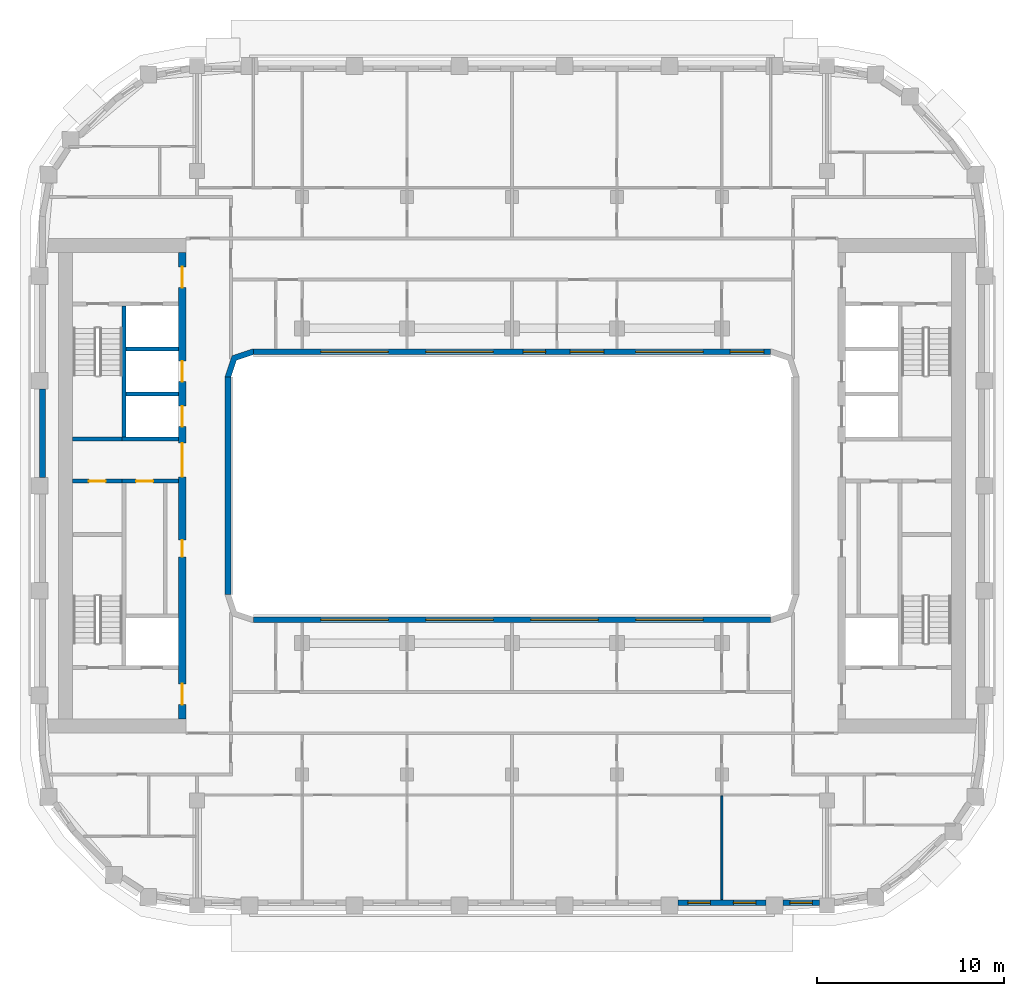
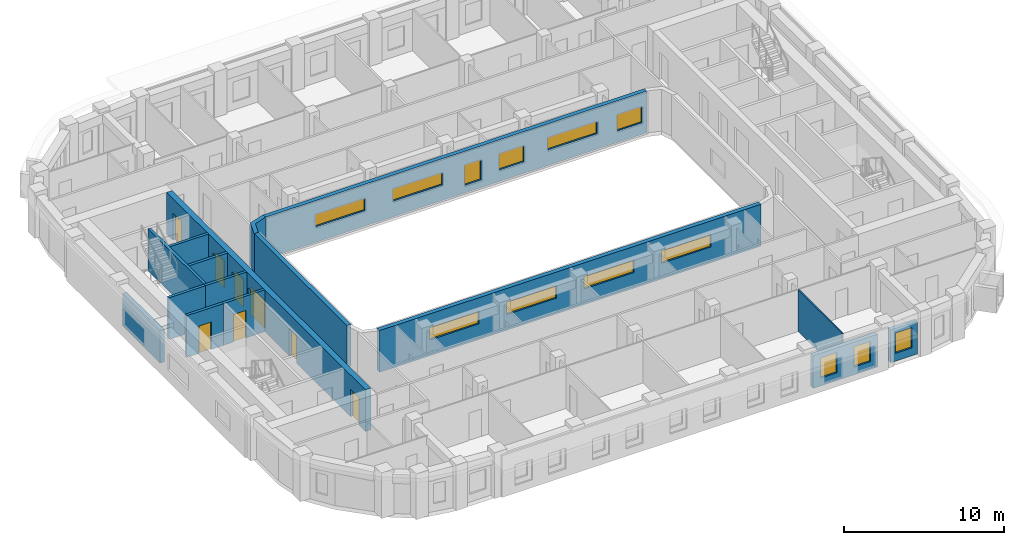
# One storey, part 4 of 21: 16 walls, 13 windows, 8 doors, 21 openings.
"""IFC4 building model written with IfcOpenShell, lengths in metres."""

from ifc_helpers import new_model, si_unit, direction, frame, frame_2d, origin, place, context, subcontext, project, spatial, polyline, rectangle, outline, extrude, material, layer, layer_set, type_object, element, fill, save


model = new_model("IFC4")

# Units and contexts
model_context = context("Model", 3, precision=1e-05, world=origin(), true_north=direction((0.0, 1.0)))
body_context = subcontext(model_context, "Body", "Model", "MODEL_VIEW")
ifc_project = project(units=[si_unit("LENGTHUNIT", "METRE"), si_unit("AREAUNIT", "SQUARE_METRE"), si_unit("VOLUMEUNIT", "CUBIC_METRE"), si_unit("PLANEANGLEUNIT", "RADIAN"), si_unit("MASSUNIT", "GRAM", prefix="KILO")], contexts=[model_context])

# Site, building, storey
site_placement = place(None, origin())
site = spatial("IfcSite", under=ifc_project, at=site_placement, CompositionType="ELEMENT")
building_placement = place(site_placement, origin())
building = spatial("IfcBuilding", under=site, at=building_placement, Name="Kiln Ring Residences", CompositionType="ELEMENT")
storey_placement = place(building_placement, frame((0.0, 0.0, 199.39990234375)))
storey = spatial("IfcBuildingStorey", under=building, at=storey_placement, Name="L51", CompositionType="ELEMENT", Elevation=199.39990234375)

# Wall, opening, door
ifc_material_1 = material(Name="Gypsum board on steel studs", Category="steel")
ifc_layer_1 = layer(ifc_material_1, 0.199951171875)
ifc_layer_set_1 = layer_set([ifc_layer_1], Name="CORE-PARTITION-200")
wall_type_1 = type_object("IfcWallType", Name="CORE-PARTITION-200", PredefinedType="PARTITIONING", material=ifc_layer_set_1)
wall_1_placement = place(storey_placement, frame((-20.800048828125, 0.25, 0.0), z_axis=(0.0, 0.0, 1.0), x_axis=(-1.0, 0.0, 0.0)))
wall_1 = element("IfcWall", 1, at=wall_1_placement, inside=storey, type_object=wall_type_1, Name="Core partition west L51 1", PredefinedType="PARTITIONING", context=body_context, shape_type="SweptSolid", body=[
    extrude(rectangle(XDim=2.64990234375, YDim=0.199951171875, at=frame_2d((1.324951171875, 0.0))), origin(), (0.0, 0.0, 1.0), 3.2001953125),
])
opening_1_placement = place(wall_1_placement, frame((0.875, 0.0, 0.0)))
opening_1 = element("IfcOpeningElement", 2, at=opening_1_placement, cuts=wall_1, Name="Opening L51-CW12", PredefinedType="OPENING", context=body_context, shape_type="SweptSolid", body=[
    extrude(rectangle(XDim=0.89990234375, YDim=2.10009765625, at=frame_2d((0.449951171875, 1.050048828125))), frame((0.0, 0.10986328125, 0.0), z_axis=(0.0, -1.0, 0.0), x_axis=(1.0, 0.0, 0.0)), (0.0, 0.0, 1.0), 0.219970703125),
])
ifc_material_2 = material(Name="Steel door leaf", Category="steel")
door_type_1 = type_object("IfcDoorType", Name="CORE-DOOR-ROOM", OperationType="SINGLE_SWING_LEFT", PredefinedType="DOOR", material=ifc_material_2)
door_1_placement = place(opening_1_placement, origin())
door_1 = element("IfcDoor", 3, at=door_1_placement, inside=storey, type_object=door_type_1, Name="Comms room L51-CW12", OperationType="SINGLE_SWING_RIGHT", OverallHeight=2.10009765625, OverallWidth=0.89990234375, PredefinedType="DOOR", context=body_context, shape_type="SweptSolid", body=[
    extrude(rectangle(XDim=0.89990234375, YDim=2.10009765625, at=frame_2d((0.449951171875, 1.050048828125))), frame((0.0, 0.02490234375, 0.0), z_axis=(0.0, -1.0, 0.0), x_axis=(1.0, 0.0, 0.0)), (0.0, 0.0, 1.0), 0.050048828125),
])
fill(opening_1, door_1)

ifc_material_3 = material(Name="Gypsum shaft wall system")
ifc_layer_2 = layer(ifc_material_3, 0.199951171875)
ifc_layer_set_2 = layer_set([ifc_layer_2], Name="CORE-SHAFT-WALL-200")
wall_type_2 = type_object("IfcWallType", Name="CORE-SHAFT-WALL-200", PredefinedType="PARTITIONING", material=ifc_layer_set_2)
wall_2_placement = place(storey_placement, frame((-17.800048828125, 0.25, 0.0), z_axis=(0.0, 0.0, 1.0), x_axis=(-1.0, 0.0, 0.0)))
wall_2 = element("IfcWall", 4, at=wall_2_placement, inside=storey, type_object=wall_type_2, Name="Core partition west L51 4", PredefinedType="PARTITIONING", context=body_context, shape_type="SweptSolid", body=[
    extrude(rectangle(XDim=3.0, YDim=0.199951171875, at=frame_2d((1.5, 0.0))), origin(), (0.0, 0.0, 1.0), 3.2001953125),
])
opening_2_placement = place(wall_2_placement, frame((1.35009765625, 0.0, 0.0)))
opening_2 = element("IfcOpeningElement", 5, at=opening_2_placement, cuts=wall_2, Name="Opening L51-CW03", PredefinedType="OPENING", context=body_context, shape_type="SweptSolid", body=[
    extrude(rectangle(XDim=0.89990234375, YDim=2.10009765625, at=frame_2d((0.449951171875, 1.050048828125))), frame((0.0, 0.10986328125, 0.0), z_axis=(0.0, -1.0, 0.0), x_axis=(1.0, 0.0, 0.0)), (0.0, 0.0, 1.0), 0.219970703125),
])
door_2_placement = place(opening_2_placement, origin())
door_2 = element("IfcDoor", 6, at=door_2_placement, inside=storey, type_object=door_type_1, Name="Service store L51-CW03", OperationType="SINGLE_SWING_LEFT", OverallHeight=2.10009765625, OverallWidth=0.89990234375, PredefinedType="DOOR", context=body_context, shape_type="SweptSolid", body=[
    extrude(rectangle(XDim=0.89990234375, YDim=2.10009765625, at=frame_2d((0.449951171875, 1.050048828125))), frame((0.0, 0.02490234375, 0.0), z_axis=(0.0, -1.0, 0.0), x_axis=(1.0, 0.0, 0.0)), (0.0, 0.0, 1.0), 0.050048828125),
])
fill(opening_2, door_2)

# Walls
wall_3_placement = place(storey_placement, frame((-17.800048828125, 2.5, 0.0), z_axis=(0.0, 0.0, 1.0), x_axis=(-1.0, 0.0, 0.0)))
element("IfcWall", 7, at=wall_3_placement, inside=storey, type_object=wall_type_2, Name="Core partition west L51 5", PredefinedType="PARTITIONING", context=body_context, shape_type="SweptSolid", body=[
    extrude(rectangle(XDim=3.0, YDim=0.199951171875, at=frame_2d((1.5, 0.0))), origin(), (0.0, 0.0, 1.0), 3.2001953125),
])
for number, where, z_axis, x_axis, name in (
    (8, (-17.800048828125, 4.89990234375, 0.0), (0.0, 0.0, 1.0), (-1.0, 0.0, 0.0), "Core partition west L51 6"),
    (9, (-17.800048828125, 7.300048828125, 0.0), (0.0, 0.0, 1.0), (-1.0, 0.0, 0.0), "Core partition west L51 7"),
):
    element("IfcWall", number, at=place(storey_placement, frame(where, z_axis=z_axis, x_axis=x_axis)), inside=storey, type_object=wall_type_2, Name=name, PredefinedType="PARTITIONING", context=body_context, shape_type="SweptSolid", body=[
        extrude(rectangle(XDim=2.800048828125, YDim=0.199951171875, at=frame_2d((1.39990234375, 0.0))), origin(), (0.0, 0.0, 1.0), 3.2001953125),
    ])
ifc_material_4 = material(Name="Concrete C40/50", Category="concrete")
ifc_layer_3 = layer(ifc_material_4, 0.199951171875)
ifc_layer_set_3 = layer_set([ifc_layer_3], Name="CORE-WALL-RC200")
wall_type_3 = type_object("IfcWallType", Name="CORE-WALL-RC200", PredefinedType="SHEAR", material=ifc_layer_set_3)
wall_4_placement = place(storey_placement, frame((-20.699951171875, 2.60009765625, 0.0), z_axis=(0.0, 0.0, 1.0), x_axis=(0.0, 1.0, 0.0)))
element("IfcWall", 10, at=wall_4_placement, inside=storey, type_object=wall_type_3, Name="Core wall west L51 1", PredefinedType="SHEAR", context=body_context, shape_type="SweptSolid", body=[
    extrude(rectangle(XDim=7.0, YDim=0.199951171875, at=frame_2d((3.5, 0.0))), origin(), (0.0, 0.0, 1.0), 3.2001953125),
])
wall_5_placement = place(storey_placement, frame((-20.800048828125, 2.5, 0.0), z_axis=(0.0, 0.0, 1.0), x_axis=(-1.0, 0.0, 0.0)))
element("IfcWall", 11, at=wall_5_placement, inside=storey, type_object=wall_type_3, Name="Core wall west L51 3", PredefinedType="SHEAR", context=body_context, shape_type="SweptSolid", body=[
    extrude(rectangle(XDim=2.64990234375, YDim=0.199951171875, at=frame_2d((1.324951171875, 0.0))), origin(), (0.0, 0.0, 1.0), 3.2001953125),
])

# Wall, openings, doors
ifc_material_5 = material(Name="Concrete C60/75", Category="concrete")
ifc_layer_4 = layer(ifc_material_5, 0.39990234375)
ifc_layer_set_4 = layer_set([ifc_layer_4], Name="CORE-WALL-RC400")
wall_type_4 = type_object("IfcWallType", Name="CORE-WALL-RC400", PredefinedType="SHEAR", material=ifc_layer_set_4)
wall_6_placement = place(storey_placement, frame((-17.60009765625, -12.449951171875, 0.0), z_axis=(0.0, 0.0, 1.0), x_axis=(0.0, 1.0, 0.0)))
wall_6 = element("IfcWall", 12, at=wall_6_placement, inside=storey, type_object=wall_type_4, Name="Core wall west L51 6", PredefinedType="SHEAR", context=body_context, shape_type="SweptSolid", body=[
    extrude(rectangle(XDim=24.89990234375, YDim=0.39990234375, at=frame_2d((12.449951171875, 0.0))), origin(), (0.0, 0.0, 1.0), 3.2001953125),
])
opening_3_placement = place(wall_6_placement, frame((8.64990234375, 0.0, 0.0)))
opening_3 = element("IfcOpeningElement", 13, at=opening_3_placement, cuts=wall_6, Name="Opening L51-CW02", PredefinedType="OPENING", context=body_context, shape_type="SweptSolid", body=[
    extrude(rectangle(XDim=0.89990234375, YDim=2.10009765625, at=frame_2d((0.449951171875, 1.050048828125))), frame((0.0, 0.2099609375, 0.0), z_axis=(0.0, -1.0, 0.0), x_axis=(1.0, 0.0, 0.0)), (0.0, 0.0, 1.0), 0.419921875),
])
opening_4_placement = place(wall_6_placement, frame((15.60009765625, 0.0, 0.0)))
opening_4 = element("IfcOpeningElement", 14, at=opening_4_placement, cuts=wall_6, Name="Opening L51-CW04", PredefinedType="OPENING", context=body_context, shape_type="SweptSolid", body=[
    extrude(rectangle(XDim=1.10009765625, YDim=2.10009765625, at=frame_2d((0.550048828125, 1.050048828125))), frame((0.0, 0.2099609375, 0.0), z_axis=(0.0, -1.0, 0.0), x_axis=(1.0, 0.0, 0.0)), (0.0, 0.0, 1.0), 0.419921875),
])
opening_5_placement = place(wall_6_placement, frame((18.0, 0.0, 0.0)))
opening_5 = element("IfcOpeningElement", 15, at=opening_5_placement, cuts=wall_6, Name="Opening L51-CW05", PredefinedType="OPENING", context=body_context, shape_type="SweptSolid", body=[
    extrude(rectangle(XDim=1.10009765625, YDim=2.10009765625, at=frame_2d((0.550048828125, 1.050048828125))), frame((0.0, 0.2099609375, 0.0), z_axis=(0.0, -1.0, 0.0), x_axis=(1.0, 0.0, 0.0)), (0.0, 0.0, 1.0), 0.419921875),
])
opening_6_placement = place(wall_6_placement, frame((23.02490234375, 0.0, 0.0)))
opening_6 = element("IfcOpeningElement", 16, at=opening_6_placement, cuts=wall_6, Name="Opening L51-CW07", PredefinedType="OPENING", context=body_context, shape_type="SweptSolid", body=[
    extrude(rectangle(XDim=1.10009765625, YDim=2.10009765625, at=frame_2d((0.550048828125, 1.050048828125))), frame((0.0, 0.2099609375, 0.0), z_axis=(0.0, -1.0, 0.0), x_axis=(1.0, 0.0, 0.0)), (0.0, 0.0, 1.0), 0.419921875),
])
opening_7_placement = place(wall_6_placement, frame((0.77490234375, 0.0, 0.0)))
opening_7 = element("IfcOpeningElement", 17, at=opening_7_placement, cuts=wall_6, Name="Opening L51-CW08", PredefinedType="OPENING", context=body_context, shape_type="SweptSolid", body=[
    extrude(rectangle(XDim=1.10009765625, YDim=2.10009765625, at=frame_2d((0.550048828125, 1.050048828125))), frame((0.0, 0.2099609375, 0.0), z_axis=(0.0, -1.0, 0.0), x_axis=(1.0, 0.0, 0.0)), (0.0, 0.0, 1.0), 0.419921875),
])
opening_8_placement = place(wall_6_placement, frame((12.925048828125, 0.0, 0.0)))
opening_8 = element("IfcOpeningElement", 18, at=opening_8_placement, cuts=wall_6, Name="Opening L51-CW11", PredefinedType="OPENING", context=body_context, shape_type="SweptSolid", body=[
    extrude(rectangle(XDim=1.800048828125, YDim=2.10009765625, at=frame_2d((0.89990234375, 1.050048828125))), frame((0.0, 0.2099609375, 0.0), z_axis=(0.0, -1.0, 0.0), x_axis=(1.0, 0.0, 0.0)), (0.0, 0.0, 1.0), 0.419921875),
])
ifc_material_6 = material(Name="Steel door leaf", Category="steel")
door_type_2 = type_object("IfcDoorType", Name="CORE-DOOR-LD", OperationType="DOUBLE_DOOR_SLIDING", PredefinedType="DOOR", material=ifc_material_6)
door_3_placement = place(opening_4_placement, origin())
door_3 = element("IfcDoor", 19, at=door_3_placement, inside=storey, type_object=door_type_2, Name="LD W-M1 L51-CW04", OperationType="DOUBLE_DOOR_SLIDING", OverallHeight=2.10009765625, OverallWidth=1.10009765625, PredefinedType="DOOR", context=body_context, shape_type="SweptSolid", body=[
    extrude(rectangle(XDim=1.10009765625, YDim=2.10009765625, at=frame_2d((0.550048828125, 1.050048828125))), frame((0.0, 0.02490234375, 0.0), z_axis=(0.0, -1.0, 0.0), x_axis=(1.0, 0.0, 0.0)), (0.0, 0.0, 1.0), 0.050048828125),
])
fill(opening_4, door_3)
door_4_placement = place(opening_5_placement, origin())
door_4 = element("IfcDoor", 20, at=door_4_placement, inside=storey, type_object=door_type_2, Name="LD W-M2 L51-CW05", OperationType="DOUBLE_DOOR_SLIDING", OverallHeight=2.10009765625, OverallWidth=1.10009765625, PredefinedType="DOOR", context=body_context, shape_type="SweptSolid", body=[
    extrude(rectangle(XDim=1.10009765625, YDim=2.10009765625, at=frame_2d((0.550048828125, 1.050048828125))), frame((0.0, 0.02490234375, 0.0), z_axis=(0.0, -1.0, 0.0), x_axis=(1.0, 0.0, 0.0)), (0.0, 0.0, 1.0), 0.050048828125),
])
fill(opening_5, door_4)
ifc_material_7 = material(Name="Steel door leaf", Category="steel")
door_type_3 = type_object("IfcDoorType", Name="CORE-DOOR-LOBBY", OperationType="SINGLE_SWING_LEFT", PredefinedType="DOOR", material=ifc_material_7)
door_5_placement = place(opening_6_placement, origin())
door_5 = element("IfcDoor", 21, at=door_5_placement, inside=storey, type_object=door_type_3, Name="FFL L51-CW07", OperationType="SINGLE_SWING_RIGHT", OverallHeight=2.10009765625, OverallWidth=1.10009765625, PredefinedType="DOOR", context=body_context, shape_type="SweptSolid", body=[
    extrude(rectangle(XDim=1.10009765625, YDim=2.10009765625, at=frame_2d((0.550048828125, 1.050048828125))), frame((0.0, 0.02490234375, 0.0), z_axis=(0.0, -1.0, 0.0), x_axis=(1.0, 0.0, 0.0)), (0.0, 0.0, 1.0), 0.050048828125),
])
fill(opening_6, door_5)
door_6_placement = place(opening_7_placement, origin())
door_6 = element("IfcDoor", 22, at=door_6_placement, inside=storey, type_object=door_type_3, Name="SVL L51-CW08", OperationType="SINGLE_SWING_LEFT", OverallHeight=2.10009765625, OverallWidth=1.10009765625, PredefinedType="DOOR", context=body_context, shape_type="SweptSolid", body=[
    extrude(rectangle(XDim=1.10009765625, YDim=2.10009765625, at=frame_2d((0.550048828125, 1.050048828125))), frame((0.0, 0.02490234375, 0.0), z_axis=(0.0, -1.0, 0.0), x_axis=(1.0, 0.0, 0.0)), (0.0, 0.0, 1.0), 0.050048828125),
])
fill(opening_7, door_6)
ifc_material_8 = material(Name="Steel door leaf", Category="steel")
door_type_4 = type_object("IfcDoorType", Name="CORE-DOOR-PASS", OperationType="DOUBLE_DOOR_SINGLE_SWING", PredefinedType="DOOR", material=ifc_material_8)
door_7_placement = place(opening_8_placement, origin())
door_7 = element("IfcDoor", 23, at=door_7_placement, inside=storey, type_object=door_type_4, Name="Core passage L51-CW11", OperationType="DOUBLE_DOOR_SINGLE_SWING", OverallHeight=2.10009765625, OverallWidth=1.800048828125, PredefinedType="DOOR", context=body_context, shape_type="SweptSolid", body=[
    extrude(rectangle(XDim=1.800048828125, YDim=2.10009765625, at=frame_2d((0.89990234375, 1.050048828125))), frame((0.0, 0.02490234375, 0.0), z_axis=(0.0, -1.0, 0.0), x_axis=(1.0, 0.0, 0.0)), (0.0, 0.0, 1.0), 0.050048828125),
])
fill(opening_8, door_7)
door_8_placement = place(opening_3_placement, origin())
door_8 = element("IfcDoor", 24, at=door_8_placement, inside=storey, type_object=door_type_1, Name="Locker store L51-CW02", OperationType="SINGLE_SWING_RIGHT", OverallHeight=2.10009765625, OverallWidth=0.89990234375, PredefinedType="DOOR", context=body_context, shape_type="SweptSolid", body=[
    extrude(rectangle(XDim=0.89990234375, YDim=2.10009765625, at=frame_2d((0.449951171875, 1.050048828125))), frame((0.0, 0.02490234375, 0.0), z_axis=(0.0, -1.0, 0.0), x_axis=(1.0, 0.0, 0.0)), (0.0, 0.0, 1.0), 0.050048828125),
])
fill(opening_3, door_8)

# Wall, openings, windows
ifc_material_9 = material(Name="Brick masonry, dark clay brick", Category="masonry")
ifc_layer_5 = layer(ifc_material_9, 0.300048828125)
ifc_layer_set_5 = layer_set([ifc_layer_5], Name="EW-300 BRICK WALL")
wall_type_5 = type_object("IfcWallType", Name="EW-300 BRICK WALL", PredefinedType="SOLIDWALL", material=ifc_layer_set_5)
wall_7_placement = place(storey_placement, frame((8.85009765625, -22.25, 0.0), z_axis=(0.0, 0.0, 1.0), x_axis=(1.0, 0.0, 0.0)))
wall_7 = element("IfcWall", 25, at=wall_7_placement, inside=storey, type_object=wall_type_5, Name="Facade wall L51 9", PredefinedType="SOLIDWALL", context=body_context, shape_type="SweptSolid", body=[
    extrude(rectangle(XDim=4.699951171875, YDim=0.300048828125, at=frame_2d((2.35009765625, 0.0))), origin(), (0.0, 0.0, 1.0), 2.5),
])
opening_9_placement = place(wall_7_placement, frame((0.53759765625, 0.0, 0.60009765625)))
opening_9 = element("IfcOpeningElement", 26, at=opening_9_placement, cuts=wall_7, Name="Opening W1", PredefinedType="OPENING", context=body_context, shape_type="SweptSolid", body=[
    extrude(rectangle(XDim=1.199951171875, YDim=1.550048828125, at=frame_2d((0.60009765625, 0.77490234375))), frame((0.0, 0.159912109375, 0.0), z_axis=(0.0, -1.0, 0.0), x_axis=(1.0, 0.0, 0.0)), (0.0, 0.0, 1.0), 0.320068359375),
])
opening_10_placement = place(wall_7_placement, frame((2.96240234375, 0.0, 0.60009765625)))
opening_10 = element("IfcOpeningElement", 27, at=opening_10_placement, cuts=wall_7, Name="Opening W1", PredefinedType="OPENING", context=body_context, shape_type="SweptSolid", body=[
    extrude(rectangle(XDim=1.199951171875, YDim=1.550048828125, at=frame_2d((0.60009765625, 0.77490234375))), frame((0.0, 0.159912109375, 0.0), z_axis=(0.0, -1.0, 0.0), x_axis=(1.0, 0.0, 0.0)), (0.0, 0.0, 1.0), 0.320068359375),
])
ifc_material_10 = material(Name="Aluminium frame with double glazing", Category="aluminium")
window_type_1 = type_object("IfcWindowType", Name="WINDOW 1200 x 1550", PartitioningType="SINGLE_PANEL", PredefinedType="WINDOW", material=ifc_material_10)
window_1_placement = place(opening_9_placement, origin())
window_1 = element("IfcWindow", 28, at=window_1_placement, inside=storey, type_object=window_type_1, Name="Window L51 11", OverallHeight=1.550048828125, OverallWidth=1.199951171875, PartitioningType="SINGLE_PANEL", PredefinedType="WINDOW", context=body_context, shape_type="SweptSolid", body=[
    extrude(rectangle(XDim=1.199951171875, YDim=1.550048828125, at=frame_2d((0.60009765625, 0.77490234375))), frame((0.0, 0.030029296875, 0.0), z_axis=(0.0, -1.0, 0.0), x_axis=(1.0, 0.0, 0.0)), (0.0, 0.0, 1.0), 0.06005859375),
])
fill(opening_9, window_1)
window_2_placement = place(opening_10_placement, origin())
window_2 = element("IfcWindow", 29, at=window_2_placement, inside=storey, type_object=window_type_1, Name="Window L51 12", OverallHeight=1.550048828125, OverallWidth=1.199951171875, PartitioningType="SINGLE_PANEL", PredefinedType="WINDOW", context=body_context, shape_type="SweptSolid", body=[
    extrude(rectangle(XDim=1.199951171875, YDim=1.550048828125, at=frame_2d((0.60009765625, 0.77490234375))), frame((0.0, 0.030029296875, 0.0), z_axis=(0.0, -1.0, 0.0), x_axis=(1.0, 0.0, 0.0)), (0.0, 0.0, 1.0), 0.06005859375),
])
fill(opening_10, window_2)

# Wall, opening, window
wall_8_placement = place(storey_placement, frame((14.449951171875, -22.25, 0.0), z_axis=(0.0, 0.0, 1.0), x_axis=(1.0, 0.0, 0.0)))
wall_8 = element("IfcWall", 30, at=wall_8_placement, inside=storey, type_object=wall_type_5, Name="Facade wall L51 10", PredefinedType="SOLIDWALL", context=body_context, shape_type="SweptSolid", body=[
    extrude(rectangle(XDim=1.949951171875, YDim=0.300048828125, at=frame_2d((0.97509765625, 0.0))), origin(), (0.0, 0.0, 1.0), 2.5),
])
opening_11_placement = place(wall_8_placement, frame((0.375, 0.0, 0.60009765625)))
opening_11 = element("IfcOpeningElement", 31, at=opening_11_placement, cuts=wall_8, Name="Opening W1", PredefinedType="OPENING", context=body_context, shape_type="SweptSolid", body=[
    extrude(rectangle(XDim=1.199951171875, YDim=1.550048828125, at=frame_2d((0.60009765625, 0.77490234375))), frame((0.0, 0.159912109375, 0.0), z_axis=(0.0, -1.0, 0.0), x_axis=(1.0, 0.0, 0.0)), (0.0, 0.0, 1.0), 0.320068359375),
])
window_3_placement = place(opening_11_placement, origin())
window_3 = element("IfcWindow", 32, at=window_3_placement, inside=storey, type_object=window_type_1, Name="Window L51 13", OverallHeight=1.550048828125, OverallWidth=1.199951171875, PartitioningType="SINGLE_PANEL", PredefinedType="WINDOW", context=body_context, shape_type="SweptSolid", body=[
    extrude(rectangle(XDim=1.199951171875, YDim=1.550048828125, at=frame_2d((0.60009765625, 0.77490234375))), frame((0.0, 0.030029296875, 0.0), z_axis=(0.0, -1.0, 0.0), x_axis=(1.0, 0.0, 0.0)), (0.0, 0.0, 1.0), 0.06005859375),
])
fill(opening_11, window_3)

# Walls
wall_9_placement = place(storey_placement, frame((-25.050048828125, 5.14990234375, 0.0), z_axis=(0.0, 0.0, 1.0), x_axis=(0.0, -1.0, 0.0)))
element("IfcWall", 33, at=wall_9_placement, inside=storey, type_object=wall_type_5, Name="Facade wall L51 41", PredefinedType="SOLIDWALL", context=body_context, shape_type="SweptSolid", body=[
    extrude(rectangle(XDim=4.699951171875, YDim=0.300048828125, at=frame_2d((2.35009765625, 0.0))), origin(), (0.0, 0.0, 1.0), 2.5),
])
wall_10_placement = place(storey_placement, frame((-15.14990234375, -5.800048828125, 0.0), z_axis=(0.0, 0.0, 1.0), x_axis=(0.0, 1.0, 0.0)))
element("IfcWall", 34, at=wall_10_placement, inside=storey, type_object=wall_type_5, Name="Facade wall L51 47", PredefinedType="SOLIDWALL", context=body_context, shape_type="SweptSolid", body=[
    extrude(rectangle(XDim=11.60009765625, YDim=0.300048828125, at=frame_2d((5.800048828125, 0.0))), origin(), (0.0, 0.0, 1.0), 3.2001953125),
])

# Wall, openings, windows
wall_11_placement = place(storey_placement, frame((-13.800048828125, 7.14990234375, 0.0), z_axis=(0.0, 0.0, 1.0), x_axis=(1.0, 0.0, 0.0)))
wall_11 = element("IfcWall", 35, at=wall_11_placement, inside=storey, type_object=wall_type_5, Name="Facade wall L51 48", PredefinedType="SOLIDWALL", context=body_context, shape_type="SweptSolid", body=[
    extrude(rectangle(XDim=27.60009765625, YDim=0.300048828125, at=frame_2d((13.800048828125, 0.0))), origin(), (0.0, 0.0, 1.0), 3.2001953125),
])
opening_12_placement = place(wall_11_placement, frame((3.60009765625, 0.0, 1.199951171875)))
opening_12 = element("IfcOpeningElement", 36, at=opening_12_placement, cuts=wall_11, Name="Opening W4", PredefinedType="OPENING", context=body_context, shape_type="SweptSolid", body=[
    extrude(rectangle(XDim=3.60009765625, YDim=0.949951171875, at=frame_2d((1.800048828125, 0.47509765625))), frame((0.0, 0.159912109375, 0.0), z_axis=(0.0, -1.0, 0.0), x_axis=(1.0, 0.0, 0.0)), (0.0, 0.0, 1.0), 0.320068359375),
])
opening_13_placement = place(wall_11_placement, frame((9.199951171875, 0.0, 1.199951171875)))
opening_13 = element("IfcOpeningElement", 37, at=opening_13_placement, cuts=wall_11, Name="Opening W4", PredefinedType="OPENING", context=body_context, shape_type="SweptSolid", body=[
    extrude(rectangle(XDim=3.60009765625, YDim=0.949951171875, at=frame_2d((1.800048828125, 0.47509765625))), frame((0.0, 0.159912109375, 0.0), z_axis=(0.0, -1.0, 0.0), x_axis=(1.0, 0.0, 0.0)), (0.0, 0.0, 1.0), 0.320068359375),
])
opening_14_placement = place(wall_11_placement, frame((14.39990234375, 0.0, 0.60009765625)))
opening_14 = element("IfcOpeningElement", 38, at=opening_14_placement, cuts=wall_11, Name="Opening W1", PredefinedType="OPENING", context=body_context, shape_type="SweptSolid", body=[
    extrude(rectangle(XDim=1.199951171875, YDim=1.550048828125, at=frame_2d((0.60009765625, 0.77490234375))), frame((0.0, 0.159912109375, 0.0), z_axis=(0.0, -1.0, 0.0), x_axis=(1.0, 0.0, 0.0)), (0.0, 0.0, 1.0), 0.320068359375),
])
opening_15_placement = place(wall_11_placement, frame((16.89990234375, 0.0, 0.89990234375)))
opening_15 = element("IfcOpeningElement", 39, at=opening_15_placement, cuts=wall_11, Name="Opening W2", PredefinedType="OPENING", context=body_context, shape_type="SweptSolid", body=[
    extrude(rectangle(XDim=1.800048828125, YDim=1.25, at=frame_2d((0.89990234375, 0.625))), frame((0.0, 0.159912109375, 0.0), z_axis=(0.0, -1.0, 0.0), x_axis=(1.0, 0.0, 0.0)), (0.0, 0.0, 1.0), 0.320068359375),
])
opening_16_placement = place(wall_11_placement, frame((20.39990234375, 0.0, 1.199951171875)))
opening_16 = element("IfcOpeningElement", 40, at=opening_16_placement, cuts=wall_11, Name="Opening W4", PredefinedType="OPENING", context=body_context, shape_type="SweptSolid", body=[
    extrude(rectangle(XDim=3.60009765625, YDim=0.949951171875, at=frame_2d((1.800048828125, 0.47509765625))), frame((0.0, 0.159912109375, 0.0), z_axis=(0.0, -1.0, 0.0), x_axis=(1.0, 0.0, 0.0)), (0.0, 0.0, 1.0), 0.320068359375),
])
opening_17_placement = place(wall_11_placement, frame((25.4375, 0.0, 0.89990234375)))
opening_17 = element("IfcOpeningElement", 41, at=opening_17_placement, cuts=wall_11, Name="Opening W2", PredefinedType="OPENING", context=body_context, shape_type="SweptSolid", body=[
    extrude(rectangle(XDim=1.800048828125, YDim=1.25, at=frame_2d((0.89990234375, 0.625))), frame((0.0, 0.159912109375, 0.0), z_axis=(0.0, -1.0, 0.0), x_axis=(1.0, 0.0, 0.0)), (0.0, 0.0, 1.0), 0.320068359375),
])
window_4_placement = place(opening_14_placement, origin())
window_4 = element("IfcWindow", 42, at=window_4_placement, inside=storey, type_object=window_type_1, Name="Window L51 37", OverallHeight=1.550048828125, OverallWidth=1.199951171875, PartitioningType="SINGLE_PANEL", PredefinedType="WINDOW", context=body_context, shape_type="SweptSolid", body=[
    extrude(rectangle(XDim=1.199951171875, YDim=1.550048828125, at=frame_2d((0.60009765625, 0.77490234375))), frame((0.0, 0.030029296875, 0.0), z_axis=(0.0, -1.0, 0.0), x_axis=(1.0, 0.0, 0.0)), (0.0, 0.0, 1.0), 0.06005859375),
])
fill(opening_14, window_4)
ifc_material_11 = material(Name="Aluminium frame with double glazing", Category="aluminium")
window_type_2 = type_object("IfcWindowType", Name="WINDOW 1800 x 1250", PartitioningType="SINGLE_PANEL", PredefinedType="WINDOW", material=ifc_material_11)
window_5_placement = place(opening_15_placement, origin())
window_5 = element("IfcWindow", 43, at=window_5_placement, inside=storey, type_object=window_type_2, Name="Window L51 38", OverallHeight=1.25, OverallWidth=1.800048828125, PartitioningType="SINGLE_PANEL", PredefinedType="WINDOW", context=body_context, shape_type="SweptSolid", body=[
    extrude(rectangle(XDim=1.800048828125, YDim=1.25, at=frame_2d((0.89990234375, 0.625))), frame((0.0, 0.030029296875, 0.0), z_axis=(0.0, -1.0, 0.0), x_axis=(1.0, 0.0, 0.0)), (0.0, 0.0, 1.0), 0.06005859375),
])
fill(opening_15, window_5)
window_6_placement = place(opening_17_placement, origin())
window_6 = element("IfcWindow", 44, at=window_6_placement, inside=storey, type_object=window_type_2, Name="Window L51 40", OverallHeight=1.25, OverallWidth=1.800048828125, PartitioningType="SINGLE_PANEL", PredefinedType="WINDOW", context=body_context, shape_type="SweptSolid", body=[
    extrude(rectangle(XDim=1.800048828125, YDim=1.25, at=frame_2d((0.89990234375, 0.625))), frame((0.0, 0.030029296875, 0.0), z_axis=(0.0, -1.0, 0.0), x_axis=(1.0, 0.0, 0.0)), (0.0, 0.0, 1.0), 0.06005859375),
])
fill(opening_17, window_6)
ifc_material_12 = material(Name="Aluminium frame with double glazing", Category="aluminium")
window_type_3 = type_object("IfcWindowType", Name="WINDOW 3600 x 950", PartitioningType="SINGLE_PANEL", PredefinedType="WINDOW", material=ifc_material_12)
window_7_placement = place(opening_12_placement, origin())
window_7 = element("IfcWindow", 45, at=window_7_placement, inside=storey, type_object=window_type_3, Name="Window L51 35", OverallHeight=0.949951171875, OverallWidth=3.60009765625, PartitioningType="SINGLE_PANEL", PredefinedType="WINDOW", context=body_context, shape_type="SweptSolid", body=[
    extrude(rectangle(XDim=3.60009765625, YDim=0.949951171875, at=frame_2d((1.800048828125, 0.47509765625))), frame((0.0, 0.030029296875, 0.0), z_axis=(0.0, -1.0, 0.0), x_axis=(1.0, 0.0, 0.0)), (0.0, 0.0, 1.0), 0.06005859375),
])
fill(opening_12, window_7)
window_8_placement = place(opening_13_placement, origin())
window_8 = element("IfcWindow", 46, at=window_8_placement, inside=storey, type_object=window_type_3, Name="Window L51 36", OverallHeight=0.949951171875, OverallWidth=3.60009765625, PartitioningType="SINGLE_PANEL", PredefinedType="WINDOW", context=body_context, shape_type="SweptSolid", body=[
    extrude(rectangle(XDim=3.60009765625, YDim=0.949951171875, at=frame_2d((1.800048828125, 0.47509765625))), frame((0.0, 0.030029296875, 0.0), z_axis=(0.0, -1.0, 0.0), x_axis=(1.0, 0.0, 0.0)), (0.0, 0.0, 1.0), 0.06005859375),
])
fill(opening_13, window_8)
window_9_placement = place(opening_16_placement, origin())
window_9 = element("IfcWindow", 47, at=window_9_placement, inside=storey, type_object=window_type_3, Name="Window L51 39", OverallHeight=0.949951171875, OverallWidth=3.60009765625, PartitioningType="SINGLE_PANEL", PredefinedType="WINDOW", context=body_context, shape_type="SweptSolid", body=[
    extrude(rectangle(XDim=3.60009765625, YDim=0.949951171875, at=frame_2d((1.800048828125, 0.47509765625))), frame((0.0, 0.030029296875, 0.0), z_axis=(0.0, -1.0, 0.0), x_axis=(1.0, 0.0, 0.0)), (0.0, 0.0, 1.0), 0.06005859375),
])
fill(opening_16, window_9)

wall_12_placement = place(storey_placement, frame((13.800048828125, -7.14990234375, 0.0), z_axis=(0.0, 0.0, 1.0), x_axis=(-1.0, 0.0, 0.0)))
wall_12 = element("IfcWall", 48, at=wall_12_placement, inside=storey, type_object=wall_type_5, Name="Facade wall L51 50", PredefinedType="SOLIDWALL", context=body_context, shape_type="SweptSolid", body=[
    extrude(rectangle(XDim=27.60009765625, YDim=0.300048828125, at=frame_2d((13.800048828125, 0.0))), origin(), (0.0, 0.0, 1.0), 3.2001953125),
])
opening_18_placement = place(wall_12_placement, frame((3.60009765625, 0.0, 1.199951171875)))
opening_18 = element("IfcOpeningElement", 49, at=opening_18_placement, cuts=wall_12, Name="Opening W4", PredefinedType="OPENING", context=body_context, shape_type="SweptSolid", body=[
    extrude(rectangle(XDim=3.60009765625, YDim=0.949951171875, at=frame_2d((1.800048828125, 0.47509765625))), frame((0.0, 0.159912109375, 0.0), z_axis=(0.0, -1.0, 0.0), x_axis=(1.0, 0.0, 0.0)), (0.0, 0.0, 1.0), 0.320068359375),
])
opening_19_placement = place(wall_12_placement, frame((9.199951171875, 0.0, 1.199951171875)))
opening_19 = element("IfcOpeningElement", 50, at=opening_19_placement, cuts=wall_12, Name="Opening W4", PredefinedType="OPENING", context=body_context, shape_type="SweptSolid", body=[
    extrude(rectangle(XDim=3.60009765625, YDim=0.949951171875, at=frame_2d((1.800048828125, 0.47509765625))), frame((0.0, 0.159912109375, 0.0), z_axis=(0.0, -1.0, 0.0), x_axis=(1.0, 0.0, 0.0)), (0.0, 0.0, 1.0), 0.320068359375),
])
opening_20_placement = place(wall_12_placement, frame((14.800048828125, 0.0, 1.199951171875)))
opening_20 = element("IfcOpeningElement", 51, at=opening_20_placement, cuts=wall_12, Name="Opening W4", PredefinedType="OPENING", context=body_context, shape_type="SweptSolid", body=[
    extrude(rectangle(XDim=3.60009765625, YDim=0.949951171875, at=frame_2d((1.800048828125, 0.47509765625))), frame((0.0, 0.159912109375, 0.0), z_axis=(0.0, -1.0, 0.0), x_axis=(1.0, 0.0, 0.0)), (0.0, 0.0, 1.0), 0.320068359375),
])
opening_21_placement = place(wall_12_placement, frame((20.39990234375, 0.0, 1.199951171875)))
opening_21 = element("IfcOpeningElement", 52, at=opening_21_placement, cuts=wall_12, Name="Opening W4", PredefinedType="OPENING", context=body_context, shape_type="SweptSolid", body=[
    extrude(rectangle(XDim=3.60009765625, YDim=0.949951171875, at=frame_2d((1.800048828125, 0.47509765625))), frame((0.0, 0.159912109375, 0.0), z_axis=(0.0, -1.0, 0.0), x_axis=(1.0, 0.0, 0.0)), (0.0, 0.0, 1.0), 0.320068359375),
])
window_10_placement = place(opening_18_placement, origin())
window_10 = element("IfcWindow", 53, at=window_10_placement, inside=storey, type_object=window_type_3, Name="Window L51 41", OverallHeight=0.949951171875, OverallWidth=3.60009765625, PartitioningType="SINGLE_PANEL", PredefinedType="WINDOW", context=body_context, shape_type="SweptSolid", body=[
    extrude(rectangle(XDim=3.60009765625, YDim=0.949951171875, at=frame_2d((1.800048828125, 0.47509765625))), frame((0.0, 0.030029296875, 0.0), z_axis=(0.0, -1.0, 0.0), x_axis=(1.0, 0.0, 0.0)), (0.0, 0.0, 1.0), 0.06005859375),
])
fill(opening_18, window_10)
window_11_placement = place(opening_19_placement, origin())
window_11 = element("IfcWindow", 54, at=window_11_placement, inside=storey, type_object=window_type_3, Name="Window L51 42", OverallHeight=0.949951171875, OverallWidth=3.60009765625, PartitioningType="SINGLE_PANEL", PredefinedType="WINDOW", context=body_context, shape_type="SweptSolid", body=[
    extrude(rectangle(XDim=3.60009765625, YDim=0.949951171875, at=frame_2d((1.800048828125, 0.47509765625))), frame((0.0, 0.030029296875, 0.0), z_axis=(0.0, -1.0, 0.0), x_axis=(1.0, 0.0, 0.0)), (0.0, 0.0, 1.0), 0.06005859375),
])
fill(opening_19, window_11)
window_12_placement = place(opening_20_placement, origin())
window_12 = element("IfcWindow", 55, at=window_12_placement, inside=storey, type_object=window_type_3, Name="Window L51 43", OverallHeight=0.949951171875, OverallWidth=3.60009765625, PartitioningType="SINGLE_PANEL", PredefinedType="WINDOW", context=body_context, shape_type="SweptSolid", body=[
    extrude(rectangle(XDim=3.60009765625, YDim=0.949951171875, at=frame_2d((1.800048828125, 0.47509765625))), frame((0.0, 0.030029296875, 0.0), z_axis=(0.0, -1.0, 0.0), x_axis=(1.0, 0.0, 0.0)), (0.0, 0.0, 1.0), 0.06005859375),
])
fill(opening_20, window_12)
window_13_placement = place(opening_21_placement, origin())
window_13 = element("IfcWindow", 56, at=window_13_placement, inside=storey, type_object=window_type_3, Name="Window L51 44", OverallHeight=0.949951171875, OverallWidth=3.60009765625, PartitioningType="SINGLE_PANEL", PredefinedType="WINDOW", context=body_context, shape_type="SweptSolid", body=[
    extrude(rectangle(XDim=3.60009765625, YDim=0.949951171875, at=frame_2d((1.800048828125, 0.47509765625))), frame((0.0, 0.030029296875, 0.0), z_axis=(0.0, -1.0, 0.0), x_axis=(1.0, 0.0, 0.0)), (0.0, 0.0, 1.0), 0.06005859375),
])
fill(opening_21, window_13)

# Walls
wall_13_placement = place(storey_placement, origin())
element("IfcWall", 57, at=wall_13_placement, inside=storey, type_object=wall_type_5, Name="Corner wall L51 1", PredefinedType="SOLIDWALL", context=body_context, shape_type="SweptSolid", body=[
    extrude(outline(polyline([(-13.8486328125, 7.300048828125), (-14.937255859375, 6.937255859375), (-15.300048828125, 5.8486328125), (-15.300048828125, 5.800048828125), (-15.0, 5.800048828125), (-14.699951171875, 6.699951171875), (-13.800048828125, 7.0), (-13.800048828125, 7.300048828125), (-13.8486328125, 7.300048828125)])), origin(), (0.0, 0.0, 1.0), 3.2001953125),
])
ifc_material_13 = material(Name="Gypsum board on steel studs", Category="steel")
ifc_layer_6 = layer(ifc_material_13, 0.10009765625)
ifc_layer_set_6 = layer_set([ifc_layer_6], Name="PARTITION-100")
wall_type_6 = type_object("IfcWallType", Name="PARTITION-100", PredefinedType="PARTITIONING", material=ifc_layer_set_6)
wall_14_placement = place(storey_placement, frame((11.199951171875, -22.080078125, 0.0), z_axis=(0.0, 0.0, 1.0), x_axis=(0.0, 1.0, 0.0)))
element("IfcWall", 58, at=wall_14_placement, inside=storey, type_object=wall_type_6, Name="Partition 050", PredefinedType="PARTITIONING", context=body_context, shape_type="SweptSolid", body=[
    extrude(rectangle(XDim=5.530029296875, YDim=0.10009765625, at=frame_2d((2.76513671875, 0.0))), origin(), (0.0, 0.0, 1.0), 3.2001953125),
])

save(model, "model.ifc")
